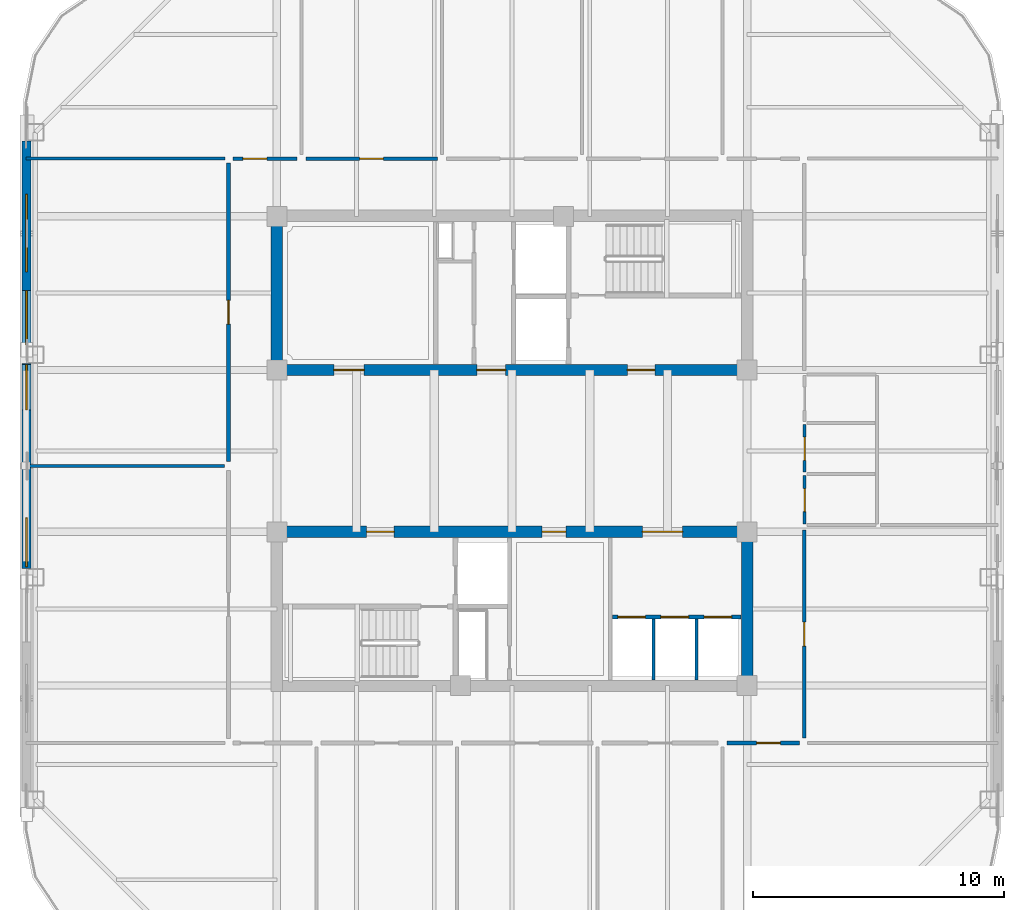
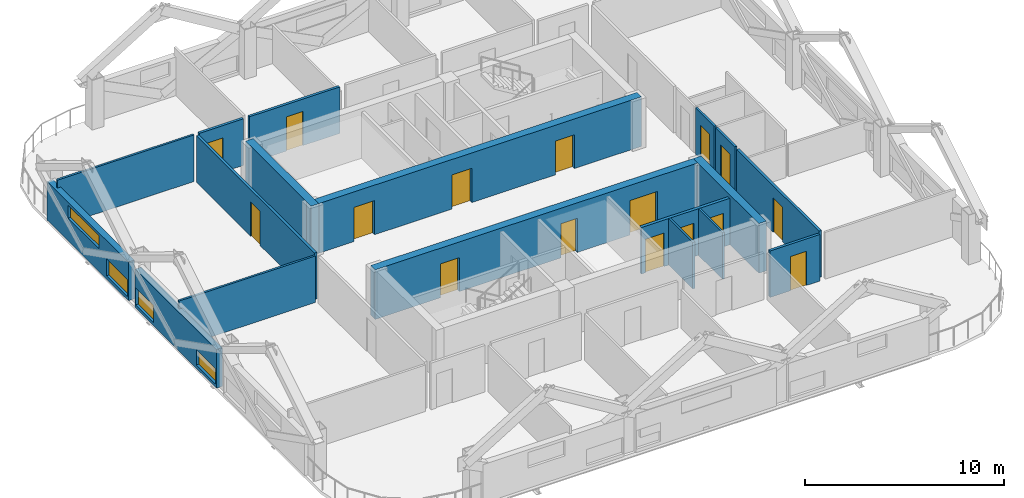
# One storey, part 4 of 9: 18 walls, 16 doors, 4 windows, 20 openings.
"""IFC4 building model written with IfcOpenShell, lengths in metres."""

import ifcopenshell
import ifcopenshell.guid

model = None  # the IFC model being written
_history = None  # IfcOwnerHistory: only IFC2X3 demands one
_inside = {}  # id of a spatial element -> (the spatial element, [elements in it])
_under = {}  # id of a project, library or spatial element -> (it, [spatial elements below it])
_declared = {}  # id of a project -> (the project, [libraries it declares])
_typed = {}  # id of a type object -> (the type object, [elements of that type])
_made_of = {}  # id of a material, layer set ... -> (it, [elements and type objects made of it])


def new_model(schema):
    """Start an empty IFC model of exactly this schema.

    Asked for "IFC4X3", IfcOpenShell would pick the latest addendum, in which some entities
    have other attributes; the version numbers below select the first issue.
    IFC2X3 requires an IfcOwnerHistory on every rooted entity: one is made here for all.
    """
    global model, _history
    if schema == "IFC4X3":
        model = ifcopenshell.file(schema_version=(4, 3, 0, 0))
    else:
        model = ifcopenshell.file(schema=schema)
    _inside.clear()
    _under.clear()
    _declared.clear()
    _typed.clear()
    _made_of.clear()
    _history = None
    if model.schema == "IFC2X3":
        org = make("IfcOrganization", Name="unknown")
        user = make(
            "IfcPersonAndOrganization",
            ThePerson=make("IfcPerson", FamilyName="unknown"),
            TheOrganization=org,
        )
        app = make(
            "IfcApplication",
            ApplicationDeveloper=org,
            Version="unknown",
            ApplicationFullName="unknown",
            ApplicationIdentifier="unknown",
        )
        _history = make(
            "IfcOwnerHistory",
            OwningUser=user,
            OwningApplication=app,
            ChangeAction="ADDED",
            CreationDate=0,
        )
    return model


def make(cls, **values):
    """One entity of the class cls with the attributes given. An attribute that is None is left unset."""
    return model.create_entity(
        cls, **{name: value for name, value in values.items() if value is not None}
    )


def rooted(cls, **values):
    """An entity with a GlobalId (a new one), such as an element, a storey or a relation."""
    return make(cls, GlobalId=ifcopenshell.guid.new(), OwnerHistory=_history, **values)


def si_unit(unit_type, name, prefix=None):
    """IfcSIUnit, for example si_unit("LENGTHUNIT", "METRE", prefix="MILLI")."""
    return make("IfcSIUnit", UnitType=unit_type, Prefix=prefix, Name=name)


def assignment(units):
    """IfcUnitAssignment: the units of a project."""
    return None if units is None else make("IfcUnitAssignment", Units=units)


def point(xyz):
    """IfcCartesianPoint."""
    return None if xyz is None else make("IfcCartesianPoint", Coordinates=xyz)


def direction(xyz):
    """IfcDirection."""
    return None if xyz is None else make("IfcDirection", DirectionRatios=xyz)


def frame(location, z_axis=None, x_axis=None):
    """IfcAxis2Placement3D, a coordinate frame: its origin and axes. An axis left out is left unset."""
    return make(
        "IfcAxis2Placement3D",
        Location=point(location),
        Axis=direction(z_axis),
        RefDirection=direction(x_axis),
    )


def frame_2d(location, x_axis=None):
    """IfcAxis2Placement2D, a coordinate frame in the plane: its origin and x axis."""
    return make(
        "IfcAxis2Placement2D", Location=point(location), RefDirection=direction(x_axis)
    )


def origin():
    """The frame at (0, 0, 0) with its axes left unset."""
    return frame((0.0, 0.0, 0.0))


def place(relative_to, where):
    """IfcLocalPlacement: puts the frame where relative to a parent placement (None: the world)."""
    return make(
        "IfcLocalPlacement", PlacementRelTo=relative_to, RelativePlacement=where
    )


def context(
    kind, dimensions, precision=None, world=None, true_north=None, identifier=None
):
    """IfcGeometricRepresentationContext, for example the 3D "Model" context."""
    return make(
        "IfcGeometricRepresentationContext",
        ContextIdentifier=identifier,
        ContextType=kind,
        CoordinateSpaceDimension=dimensions,
        Precision=precision,
        WorldCoordinateSystem=world,
        TrueNorth=true_north,
    )


def subcontext(parent, identifier, kind, view, scale=None):
    """IfcGeometricRepresentationSubContext, for example "Body" below "Model"."""
    return make(
        "IfcGeometricRepresentationSubContext",
        ContextIdentifier=identifier,
        ContextType=kind,
        ParentContext=parent,
        TargetScale=scale,
        TargetView=view,
    )


def project(units=None, contexts=None):
    """IfcProject with its units and contexts."""
    return rooted(
        "IfcProject",
        Name="project",
        RepresentationContexts=contexts,
        UnitsInContext=assignment(units),
    )


def spatial(cls, under=None, at=None, **own):
    """A site, building, storey or space (cls), placed at a placement, below another one or the project."""
    s = rooted(cls, ObjectPlacement=at, **own)
    if under is not None:
        _under.setdefault(under.id(), (under, []))[1].append(s)
    return s


def profile(cls, at=None, kind="AREA", **sizes):
    """A parametric profile (cls). Its sizes go by their IFC names, for example OverallWidth=200.0."""
    return make(cls, ProfileType=kind, Position=at, **sizes)


def rectangle(**sizes):
    """IfcRectangleProfileDef."""
    return profile("IfcRectangleProfileDef", **sizes)


def extrude(swept, where, along, depth):
    """IfcExtrudedAreaSolid: the profile swept, set in the frame where, extruded along a direction by depth."""
    return make(
        "IfcExtrudedAreaSolid",
        SweptArea=swept,
        Position=where,
        ExtrudedDirection=direction(along),
        Depth=depth,
    )


def shape(context_of_items, identifier, shape_type, items):
    """IfcShapeRepresentation: the items that make up one representation, for example the "Body"."""
    return make(
        "IfcShapeRepresentation",
        ContextOfItems=context_of_items,
        RepresentationIdentifier=identifier,
        RepresentationType=shape_type,
        Items=items,
    )


def material(Name=None, Category=None):
    """IfcMaterial."""
    return make("IfcMaterial", Name=Name, Category=Category)


def layer(
    of_material, thickness, ventilated=None, Name=None, Category=None, Priority=None
):
    """IfcMaterialLayer: one layer of a wall or slab, of a material (None: an air gap)."""
    return make(
        "IfcMaterialLayer",
        Material=of_material,
        LayerThickness=thickness,
        IsVentilated=ventilated,
        Name=Name,
        Category=Category,
        Priority=Priority,
    )


def layer_set(layers, Name=None):
    """IfcMaterialLayerSet."""
    return make("IfcMaterialLayerSet", MaterialLayers=layers, LayerSetName=Name)


def made_of(thing, what):
    """Note that an element or type object is made of a material, layer set ...; save() writes the relation."""
    if what is not None:
        _made_of.setdefault(what.id(), (what, []))[1].append(thing)
    return thing


def type_object(cls, material=None, **own):
    """A type object (cls), such as IfcWallType, which elements share."""
    return made_of(rooted(cls, **own), material)


def element(
    cls,
    number,
    at=None,
    inside=None,
    cuts=None,
    type_object=None,
    material=None,
    context=None,
    identifier="Body",
    shape_type=None,
    held_by="IfcProductDefinitionShape",
    body=None,
    shapes=None,
    **own,
):
    """One element of the class cls, such as IfcWall. Its Tag is "e" and its number.

    at: its placement. inside: the storey or other place that contains it. cuts: it is an
    opening in that element (IfcRelVoidsElement). A single representation is given by context,
    identifier, shape_type and body (its items); several are given by shapes. held_by: the class
    of the entity that holds the representations. save() writes the other relations.
    """
    e = rooted(cls, Tag="e%d" % number, ObjectPlacement=at, **own)
    if body is not None:
        shapes = [shape(context, identifier, shape_type, body)]
    if shapes is not None:
        e.Representation = make(held_by, Representations=shapes)
    if inside is not None:
        _inside.setdefault(inside.id(), (inside, []))[1].append(e)
    if cuts is not None:
        rooted(
            "IfcRelVoidsElement", RelatingBuildingElement=cuts, RelatedOpeningElement=e
        )
    if type_object is not None:
        _typed.setdefault(type_object.id(), (type_object, []))[1].append(e)
    return made_of(e, material)


def fill(opening, filler):
    """IfcRelFillsElement: the door or window that sits in an opening."""
    return rooted(
        "IfcRelFillsElement",
        RelatingOpeningElement=opening,
        RelatedBuildingElement=filler,
    )


def aggregate(whole, parts):
    """IfcRelAggregates: a whole, such as a stair, and the parts it consists of."""
    return rooted("IfcRelAggregates", RelatingObject=whole, RelatedObjects=parts)


def save(model, path):
    """Write the relations noted so far, then the file.

    IfcRelAggregates (storeys below a building ...), IfcRelContainedInSpatialStructure (elements
    in a storey), IfcRelDefinesByType, IfcRelAssociatesMaterial and IfcRelDeclares: one each for
    every whole, place, type object, material and project.
    """
    for whole, parts in _under.values():
        aggregate(whole, parts)
    for where, things in _inside.values():
        rooted(
            "IfcRelContainedInSpatialStructure",
            RelatedElements=things,
            RelatingStructure=where,
        )
    for kind, things in _typed.values():
        rooted("IfcRelDefinesByType", RelatedObjects=things, RelatingType=kind)
    for what, things in _made_of.values():
        rooted("IfcRelAssociatesMaterial", RelatedObjects=things, RelatingMaterial=what)
    for by, libraries in _declared.values():
        rooted("IfcRelDeclares", RelatingContext=by, RelatedDefinitions=libraries)
    model.write(path)


model = new_model("IFC4")

# Units and contexts
model_context = context("Model", 3, precision=1e-05, world=origin(), true_north=direction((0.0, 1.0)))
body_context = subcontext(model_context, "Body", "Model", "MODEL_VIEW")
ifc_project = project(units=[si_unit("LENGTHUNIT", "METRE"), si_unit("AREAUNIT", "SQUARE_METRE"), si_unit("VOLUMEUNIT", "CUBIC_METRE"), si_unit("PLANEANGLEUNIT", "RADIAN"), si_unit("MASSUNIT", "GRAM", prefix="KILO")], contexts=[model_context])

# Site, building, storey
site_placement = place(None, origin())
site = spatial("IfcSite", under=ifc_project, at=site_placement, CompositionType="ELEMENT")
building_placement = place(site_placement, origin())
building = spatial("IfcBuilding", under=site, at=building_placement, Name="Qhalaya Broadcast Tower", CompositionType="ELEMENT")
storey_placement = place(building_placement, frame((0.0, 0.0, 211.699951171875)))
storey = spatial("IfcBuildingStorey", under=building, at=storey_placement, Name="L62", CompositionType="ELEMENT", Elevation=211.699951171875)

# Wall, opening, door
ifc_material_1 = material(Name="Gypsum Acoustic Partition")
ifc_layer_1 = layer(ifc_material_1, 0.14990234375, Name="Gypsum Acoustic Partition")
ifc_layer_set_1 = layer_set([ifc_layer_1], Name="Gypsum Acoustic Partition")
wall_type_1 = type_object("IfcWallType", Name="Corridor & Tenancy Acoustic Partition 150", PredefinedType="PARTITIONING", material=ifc_layer_set_1)
wall_1_placement = place(storey_placement, frame((-11.1201171875, 12.25, 0.0), z_axis=(0.0, 0.0, 1.0), x_axis=(1.0, 0.0, 0.0)))
wall_1 = element("IfcWall", 1, at=wall_1_placement, inside=storey, type_object=wall_type_1, Name="L62 Partition Wall W-COR-01", PredefinedType="PARTITIONING", context=body_context, shape_type="SweptSolid", body=[
    extrude(rectangle(XDim=2.5400390625, YDim=0.14990234375, at=frame_2d((1.27001953125, 0.0))), origin(), (0.0, 0.0, 1.0), 2.860107421875),
])
opening_1_placement = place(wall_1_placement, frame((0.39501953125, 0.0, 0.0)))
opening_1 = element("IfcOpeningElement", 2, at=opening_1_placement, cuts=wall_1, Name="Opening D10", PredefinedType="OPENING", context=body_context, shape_type="SweptSolid", body=[
    extrude(rectangle(XDim=0.949951171875, YDim=2.10009765625, at=frame_2d((0.47509765625, 1.050048828125))), frame((0.0, 0.0869140625, 0.0), z_axis=(0.0, -1.0, 0.0), x_axis=(1.0, 0.0, 0.0)), (0.0, 0.0, 1.0), 0.173828125),
])
ifc_material_2 = material(Name="Timber Veneer Acoustic Door", Category="wood")
door_type_1 = type_object("IfcDoorType", Name="Cellular Office & Edit Booth Door D10", OperationType="NOTDEFINED", PredefinedType="DOOR", material=ifc_material_2)
door_1_placement = place(opening_1_placement, origin())
door_1 = element("IfcDoor", 3, at=door_1_placement, inside=storey, type_object=door_type_1, Name="L62 Door D-RM01", OperationType="SINGLE_SWING_RIGHT", OverallHeight=2.10009765625, OverallWidth=0.949951171875, PredefinedType="DOOR", context=body_context, shape_type="SweptSolid", body=[
    extrude(rectangle(XDim=0.949951171875, YDim=2.10009765625, at=frame_2d((0.47509765625, 1.050048828125))), frame((0.0, 0.02490234375, 0.0), z_axis=(0.0, -1.0, 0.0), x_axis=(1.0, 0.0, 0.0)), (0.0, 0.0, 1.0), 0.050048828125),
])
fill(opening_1, door_1)

wall_2_placement = place(storey_placement, frame((-8.219970703125, 12.25, 0.0), z_axis=(0.0, 0.0, 1.0), x_axis=(1.0, 0.0, 0.0)))
wall_2 = element("IfcWall", 4, at=wall_2_placement, inside=storey, type_object=wall_type_1, Name="L62 Partition Wall W-COR-02", PredefinedType="PARTITIONING", context=body_context, shape_type="SweptSolid", body=[
    extrude(rectangle(XDim=5.239990234375, YDim=0.14990234375, at=frame_2d((2.6201171875, 0.0))), origin(), (0.0, 0.0, 1.0), 2.860107421875),
])
opening_2_placement = place(wall_2_placement, frame((2.14501953125, 0.0, 0.0)))
opening_2 = element("IfcOpeningElement", 5, at=opening_2_placement, cuts=wall_2, Name="Opening D10", PredefinedType="OPENING", context=body_context, shape_type="SweptSolid", body=[
    extrude(rectangle(XDim=0.949951171875, YDim=2.10009765625, at=frame_2d((0.47509765625, 1.050048828125))), frame((0.0, 0.0869140625, 0.0), z_axis=(0.0, -1.0, 0.0), x_axis=(1.0, 0.0, 0.0)), (0.0, 0.0, 1.0), 0.173828125),
])
door_2_placement = place(opening_2_placement, origin())
door_2 = element("IfcDoor", 6, at=door_2_placement, inside=storey, type_object=door_type_1, Name="L62 Door D-RM02", OperationType="SINGLE_SWING_LEFT", OverallHeight=2.10009765625, OverallWidth=0.949951171875, PredefinedType="DOOR", context=body_context, shape_type="SweptSolid", body=[
    extrude(rectangle(XDim=0.949951171875, YDim=2.10009765625, at=frame_2d((0.47509765625, 1.050048828125))), frame((0.0, 0.02490234375, 0.0), z_axis=(0.0, -1.0, 0.0), x_axis=(1.0, 0.0, 0.0)), (0.0, 0.0, 1.0), 0.050048828125),
])
fill(opening_2, door_2)

wall_3_placement = place(storey_placement, frame((8.580078125, -11.050048828125, 0.0), z_axis=(0.0, 0.0, 1.0), x_axis=(1.0, 0.0, 0.0)))
wall_3 = element("IfcWall", 7, at=wall_3_placement, inside=storey, type_object=wall_type_1, Name="L62 Partition Wall W-COR-10", PredefinedType="PARTITIONING", context=body_context, shape_type="SweptSolid", body=[
    extrude(rectangle(XDim=2.889892578125, YDim=0.14990234375, at=frame_2d((1.44482421875, 0.0))), origin(), (0.0, 0.0, 1.0), 2.860107421875),
])
opening_3_placement = place(wall_3_placement, frame((1.169921875, 0.0, 0.0)))
opening_3 = element("IfcOpeningElement", 8, at=opening_3_placement, cuts=wall_3, Name="Opening D10", PredefinedType="OPENING", context=body_context, shape_type="SweptSolid", body=[
    extrude(rectangle(XDim=0.949951171875, YDim=2.10009765625, at=frame_2d((0.47509765625, 1.050048828125))), frame((0.0, 0.0869140625, 0.0), z_axis=(0.0, -1.0, 0.0), x_axis=(1.0, 0.0, 0.0)), (0.0, 0.0, 1.0), 0.173828125),
])
door_3_placement = place(opening_3_placement, origin())
door_3 = element("IfcDoor", 9, at=door_3_placement, inside=storey, type_object=door_type_1, Name="L62 Door D-RM10", OperationType="SINGLE_SWING_LEFT", OverallHeight=2.10009765625, OverallWidth=0.949951171875, PredefinedType="DOOR", context=body_context, shape_type="SweptSolid", body=[
    extrude(rectangle(XDim=0.949951171875, YDim=2.10009765625, at=frame_2d((0.47509765625, 1.050048828125))), frame((0.0, 0.02490234375, 0.0), z_axis=(0.0, -1.0, 0.0), x_axis=(1.0, 0.0, 0.0)), (0.0, 0.0, 1.0), 0.050048828125),
])
fill(opening_3, door_3)

wall_4_placement = place(storey_placement, frame((-11.300048828125, 0.179931640625, 0.0), z_axis=(0.0, 0.0, 1.0), x_axis=(0.0, 1.0, 0.0)))
wall_4 = element("IfcWall", 10, at=wall_4_placement, inside=storey, type_object=wall_type_1, Name="L62 Partition Wall W-COR-12", PredefinedType="PARTITIONING", context=body_context, shape_type="SweptSolid", body=[
    extrude(rectangle(XDim=11.89013671875, YDim=0.14990234375, at=frame_2d((5.945068359375, 0.0))), origin(), (0.0, 0.0, 1.0), 2.860107421875),
])
opening_4_placement = place(wall_4_placement, frame((5.469970703125, 0.0, 0.0)))
opening_4 = element("IfcOpeningElement", 11, at=opening_4_placement, cuts=wall_4, Name="Opening D10", PredefinedType="OPENING", context=body_context, shape_type="SweptSolid", body=[
    extrude(rectangle(XDim=0.949951171875, YDim=2.10009765625, at=frame_2d((0.47509765625, 1.050048828125))), frame((0.0, 0.0869140625, 0.0), z_axis=(0.0, -1.0, 0.0), x_axis=(1.0, 0.0, 0.0)), (0.0, 0.0, 1.0), 0.173828125),
])
door_4_placement = place(opening_4_placement, origin())
door_4 = element("IfcDoor", 12, at=door_4_placement, inside=storey, type_object=door_type_1, Name="L62 Door D-RM12", OperationType="SINGLE_SWING_LEFT", OverallHeight=2.10009765625, OverallWidth=0.949951171875, PredefinedType="DOOR", context=body_context, shape_type="SweptSolid", body=[
    extrude(rectangle(XDim=0.949951171875, YDim=2.10009765625, at=frame_2d((0.47509765625, 1.050048828125))), frame((0.0, 0.02490234375, 0.0), z_axis=(0.0, -1.0, 0.0), x_axis=(1.0, 0.0, 0.0)), (0.0, 0.0, 1.0), 0.050048828125),
])
fill(opening_4, door_4)

wall_5_placement = place(storey_placement, frame((11.64990234375, -10.85009765625, 0.0), z_axis=(0.0, 0.0, 1.0), x_axis=(0.0, 1.0, 0.0)))
wall_5 = element("IfcWall", 13, at=wall_5_placement, inside=storey, type_object=wall_type_1, Name="L62 Partition Wall W-COR-13", PredefinedType="PARTITIONING", context=body_context, shape_type="SweptSolid", body=[
    extrude(rectangle(XDim=8.2900390625, YDim=0.14990234375, at=frame_2d((4.14501953125, 0.0))), origin(), (0.0, 0.0, 1.0), 2.860107421875),
])
opening_5_placement = place(wall_5_placement, frame((3.669921875, 0.0, 0.0)))
opening_5 = element("IfcOpeningElement", 14, at=opening_5_placement, cuts=wall_5, Name="Opening D10", PredefinedType="OPENING", context=body_context, shape_type="SweptSolid", body=[
    extrude(rectangle(XDim=0.949951171875, YDim=2.10009765625, at=frame_2d((0.47509765625, 1.050048828125))), frame((0.0, 0.0869140625, 0.0), z_axis=(0.0, -1.0, 0.0), x_axis=(1.0, 0.0, 0.0)), (0.0, 0.0, 1.0), 0.173828125),
])
door_5_placement = place(opening_5_placement, origin())
door_5 = element("IfcDoor", 15, at=door_5_placement, inside=storey, type_object=door_type_1, Name="L62 Door D-RM13", OperationType="SINGLE_SWING_RIGHT", OverallHeight=2.10009765625, OverallWidth=0.949951171875, PredefinedType="DOOR", context=body_context, shape_type="SweptSolid", body=[
    extrude(rectangle(XDim=0.949951171875, YDim=2.10009765625, at=frame_2d((0.47509765625, 1.050048828125))), frame((0.0, 0.02490234375, 0.0), z_axis=(0.0, -1.0, 0.0), x_axis=(1.0, 0.0, 0.0)), (0.0, 0.0, 1.0), 0.050048828125),
])
fill(opening_5, door_5)

# Wall, openings, windows
ifc_material_3 = material(Name="Precast Concrete C40/50", Category="concrete")
ifc_layer_2 = layer(ifc_material_3, 0.360107421875, Name="Precast Concrete C40/50")
ifc_layer_set_2 = layer_set([ifc_layer_2], Name="Precast Concrete C40/50")
wall_type_2 = type_object("IfcWallType", Name="Insulated Precast Terracotta Exterior Wall 360", PredefinedType="SOLIDWALL", material=ifc_layer_set_2)
wall_6_placement = place(storey_placement, frame((-19.360107421875, -4.083251953125, 0.0), z_axis=(0.0, 0.0, 1.0), x_axis=(0.0, 1.0, 0.0)))
wall_6 = element("IfcWall", 16, at=wall_6_placement, inside=storey, type_object=wall_type_2, Name="L62 Exoskeleton Diagrid Infill Wall W2", PredefinedType="SOLIDWALL", context=body_context, shape_type="SweptSolid", body=[
    extrude(rectangle(XDim=8.16650390625, YDim=0.360107421875, at=frame_2d((4.083251953125, 0.0))), origin(), (0.0, 0.0, 1.0), 2.3740234375),
])
opening_6_placement = place(wall_6_placement, frame((0.071044921875, 0.0, 0.199951171875)))
opening_6 = element("IfcOpeningElement", 17, at=opening_6_placement, cuts=wall_6, Name="Opening W13", PredefinedType="OPENING", context=body_context, shape_type="SweptSolid", body=[
    extrude(rectangle(XDim=1.949951171875, YDim=0.949951171875, at=frame_2d((0.97509765625, 0.47509765625))), frame((0.0, 0.192138671875, 0.0), z_axis=(0.0, -1.0, 0.0), x_axis=(1.0, 0.0, 0.0)), (0.0, 0.0, 1.0), 0.384033203125),
])
opening_7_placement = place(wall_6_placement, frame((6.321044921875, 0.0, 0.199951171875)))
opening_7 = element("IfcOpeningElement", 18, at=opening_7_placement, cuts=wall_6, Name="Opening W13", PredefinedType="OPENING", context=body_context, shape_type="SweptSolid", body=[
    extrude(rectangle(XDim=1.800048828125, YDim=1.050048828125, at=frame_2d((0.89990234375, 0.52490234375))), frame((0.0, 0.192138671875, 0.0), z_axis=(0.0, -1.0, 0.0), x_axis=(1.0, 0.0, 0.0)), (0.0, 0.0, 1.0), 0.384033203125),
])
ifc_material_4 = material(Name="Solar-Control Low-E Triple Glazing", Category="glass")
window_type = type_object("IfcWindowType", Name="Upper-Block Diagrid Infill Window W13", PartitioningType="SINGLE_PANEL", PredefinedType="WINDOW", material=ifc_material_4)
window_1_placement = place(opening_6_placement, origin())
window_1 = element("IfcWindow", 19, at=window_1_placement, inside=storey, type_object=window_type, Name="L62 Diagrid Infill Window W13-W3", OverallHeight=0.949951171875, OverallWidth=1.949951171875, PartitioningType="SINGLE_PANEL", PredefinedType="WINDOW", context=body_context, shape_type="SweptSolid", body=[
    extrude(rectangle(XDim=1.949951171875, YDim=0.949951171875, at=frame_2d((0.97509765625, 0.47509765625))), frame((0.0, 0.030029296875, 0.0), z_axis=(0.0, -1.0, 0.0), x_axis=(1.0, 0.0, 0.0)), (0.0, 0.0, 1.0), 0.06005859375),
])
fill(opening_6, window_1)
window_2_placement = place(opening_7_placement, origin())
window_2 = element("IfcWindow", 20, at=window_2_placement, inside=storey, type_object=window_type, Name="L62 Diagrid Infill Window W13-W4", OverallHeight=1.050048828125, OverallWidth=1.800048828125, PartitioningType="SINGLE_PANEL", PredefinedType="WINDOW", context=body_context, shape_type="SweptSolid", body=[
    extrude(rectangle(XDim=1.800048828125, YDim=1.050048828125, at=frame_2d((0.89990234375, 0.52490234375))), frame((0.0, 0.030029296875, 0.0), z_axis=(0.0, -1.0, 0.0), x_axis=(1.0, 0.0, 0.0)), (0.0, 0.0, 1.0), 0.06005859375),
])
fill(opening_7, window_2)

wall_7_placement = place(storey_placement, frame((-19.360107421875, 4.783203125, 0.0), z_axis=(0.0, 0.0, 1.0), x_axis=(0.0, 1.0, 0.0)))
wall_7 = element("IfcWall", 21, at=wall_7_placement, inside=storey, type_object=wall_type_2, Name="L62 Exoskeleton Diagrid Infill Wall W3", PredefinedType="SOLIDWALL", context=body_context, shape_type="SweptSolid", body=[
    extrude(rectangle(XDim=8.1787109375, YDim=0.360107421875, at=frame_2d((4.08935546875, 0.0))), origin(), (0.0, 0.0, 1.0), 2.3740234375),
])
opening_8_placement = place(wall_7_placement, frame((0.054931640625, 0.0, 0.199951171875)))
opening_8 = element("IfcOpeningElement", 22, at=opening_8_placement, cuts=wall_7, Name="Opening W13", PredefinedType="OPENING", context=body_context, shape_type="SweptSolid", body=[
    extrude(rectangle(XDim=2.14990234375, YDim=1.050048828125, at=frame_2d((1.074951171875, 0.52490234375))), frame((0.0, 0.192138671875, 0.0), z_axis=(0.0, -1.0, 0.0), x_axis=(1.0, 0.0, 0.0)), (0.0, 0.0, 1.0), 0.384033203125),
])
opening_9_placement = place(wall_7_placement, frame((2.955078125, 0.0, 1.39990234375)))
opening_9 = element("IfcOpeningElement", 23, at=opening_9_placement, cuts=wall_7, Name="Opening W13", PredefinedType="OPENING", context=body_context, shape_type="SweptSolid", body=[
    extrude(rectangle(XDim=3.10009765625, YDim=0.800048828125, at=frame_2d((1.550048828125, 0.39990234375))), frame((0.0, 0.192138671875, 0.0), z_axis=(0.0, -1.0, 0.0), x_axis=(1.0, 0.0, 0.0)), (0.0, 0.0, 1.0), 0.384033203125),
])
window_3_placement = place(opening_8_placement, origin())
window_3 = element("IfcWindow", 24, at=window_3_placement, inside=storey, type_object=window_type, Name="L62 Diagrid Infill Window W13-W5", OverallHeight=1.050048828125, OverallWidth=2.14990234375, PartitioningType="SINGLE_PANEL", PredefinedType="WINDOW", context=body_context, shape_type="SweptSolid", body=[
    extrude(rectangle(XDim=2.14990234375, YDim=1.050048828125, at=frame_2d((1.074951171875, 0.52490234375))), frame((0.0, 0.030029296875, 0.0), z_axis=(0.0, -1.0, 0.0), x_axis=(1.0, 0.0, 0.0)), (0.0, 0.0, 1.0), 0.06005859375),
])
fill(opening_8, window_3)
window_4_placement = place(opening_9_placement, origin())
window_4 = element("IfcWindow", 25, at=window_4_placement, inside=storey, type_object=window_type, Name="L62 Diagrid Infill Window W13-W6", OverallHeight=0.800048828125, OverallWidth=3.10009765625, PartitioningType="SINGLE_PANEL", PredefinedType="WINDOW", context=body_context, shape_type="SweptSolid", body=[
    extrude(rectangle(XDim=3.10009765625, YDim=0.800048828125, at=frame_2d((1.550048828125, 0.39990234375))), frame((0.0, 0.030029296875, 0.0), z_axis=(0.0, -1.0, 0.0), x_axis=(1.0, 0.0, 0.0)), (0.0, 0.0, 1.0), 0.06005859375),
])
fill(opening_9, window_4)

# Walls
ifc_layer_3 = layer(ifc_material_1, 0.1201171875, Name="Gypsum Acoustic Partition")
ifc_layer_set_3 = layer_set([ifc_layer_3], Name="Gypsum Acoustic Partition")
wall_type_3 = type_object("IfcWallType", Name="Office, Booth & Sanitary Partition 120", PredefinedType="PARTITIONING", material=ifc_layer_set_3)
for number, where, z_axis, x_axis, name in (
    (26, (5.639892578125, -8.530029296875, 0.0), (0.0, 0.0, 1.0), (0.0, 1.0, 0.0), "L62 Partition Wall SCW-HD6"),
    (27, (7.360107421875, -8.530029296875, 0.0), (0.0, 0.0, 1.0), (0.0, 1.0, 0.0), "L62 Partition Wall SCW-HD7"),
):
    element("IfcWall", number, at=place(storey_placement, frame(where, z_axis=z_axis, x_axis=x_axis)), inside=storey, type_object=wall_type_3, Name=name, PredefinedType="PARTITIONING", context=body_context, shape_type="SweptSolid", body=[
        extrude(rectangle(XDim=2.429931640625, YDim=0.1201171875, at=frame_2d((1.21484375, 0.0))), origin(), (0.0, 0.0, 1.0), 2.860107421875),
    ])

# Wall, opening, door
wall_8_placement = place(storey_placement, frame((11.669921875, -2.320068359375, 0.0), z_axis=(0.0, 0.0, 1.0), x_axis=(0.0, 1.0, 0.0)))
wall_8 = element("IfcWall", 28, at=wall_8_placement, inside=storey, type_object=wall_type_3, Name="L62 Partition Wall W-WCWA", PredefinedType="PARTITIONING", context=body_context, shape_type="SweptSolid", body=[
    extrude(rectangle(XDim=1.940185546875, YDim=0.1201171875, at=frame_2d((0.97021484375, 0.0))), origin(), (0.0, 0.0, 1.0), 2.860107421875),
])
opening_10_placement = place(wall_8_placement, frame((0.4951171875, 0.0, 0.0)))
opening_10 = element("IfcOpeningElement", 29, at=opening_10_placement, cuts=wall_8, Name="Opening D12", PredefinedType="OPENING", context=body_context, shape_type="SweptSolid", body=[
    extrude(rectangle(XDim=0.919921875, YDim=2.10009765625, at=frame_2d((0.4599609375, 1.050048828125))), frame((0.0, 0.072021484375, 0.0), z_axis=(0.0, -1.0, 0.0), x_axis=(1.0, 0.0, 0.0)), (0.0, 0.0, 1.0), 0.14404296875),
])
door_type_2 = type_object("IfcDoorType", Name="Accessible WC & Restroom Door D12", OperationType="NOTDEFINED", PredefinedType="DOOR", material=ifc_material_2)
door_6_placement = place(opening_10_placement, origin())
door_6 = element("IfcDoor", 30, at=door_6_placement, inside=storey, type_object=door_type_2, Name="L62 Door D-WCA", OperationType="SINGLE_SWING_LEFT", OverallHeight=2.10009765625, OverallWidth=0.919921875, PredefinedType="DOOR", context=body_context, shape_type="SweptSolid", body=[
    extrude(rectangle(XDim=0.919921875, YDim=2.10009765625, at=frame_2d((0.4599609375, 1.050048828125))), frame((0.0, 0.02490234375, 0.0), z_axis=(0.0, -1.0, 0.0), x_axis=(1.0, 0.0, 0.0)), (0.0, 0.0, 1.0), 0.050048828125),
])
fill(opening_10, door_6)

wall_9_placement = place(storey_placement, frame((11.669921875, -0.25, 0.0), z_axis=(0.0, 0.0, 1.0), x_axis=(0.0, 1.0, 0.0)))
wall_9 = element("IfcWall", 31, at=wall_9_placement, inside=storey, type_object=wall_type_3, Name="L62 Partition Wall W-WCWM", PredefinedType="PARTITIONING", context=body_context, shape_type="SweptSolid", body=[
    extrude(rectangle(XDim=1.89990234375, YDim=0.1201171875, at=frame_2d((0.949951171875, 0.0))), origin(), (0.0, 0.0, 1.0), 2.860107421875),
])
opening_11_placement = place(wall_9_placement, frame((0.47509765625, 0.0, 0.0)))
opening_11 = element("IfcOpeningElement", 32, at=opening_11_placement, cuts=wall_9, Name="Opening D12", PredefinedType="OPENING", context=body_context, shape_type="SweptSolid", body=[
    extrude(rectangle(XDim=0.919921875, YDim=2.10009765625, at=frame_2d((0.4599609375, 1.050048828125))), frame((0.0, 0.072021484375, 0.0), z_axis=(0.0, -1.0, 0.0), x_axis=(1.0, 0.0, 0.0)), (0.0, 0.0, 1.0), 0.14404296875),
])
door_7_placement = place(opening_11_placement, origin())
door_7 = element("IfcDoor", 33, at=door_7_placement, inside=storey, type_object=door_type_2, Name="L62 Door D-WCM", OperationType="SINGLE_SWING_RIGHT", OverallHeight=2.10009765625, OverallWidth=0.919921875, PredefinedType="DOOR", context=body_context, shape_type="SweptSolid", body=[
    extrude(rectangle(XDim=0.919921875, YDim=2.10009765625, at=frame_2d((0.4599609375, 1.050048828125))), frame((0.0, 0.02490234375, 0.0), z_axis=(0.0, -1.0, 0.0), x_axis=(1.0, 0.0, 0.0)), (0.0, 0.0, 1.0), 0.050048828125),
])
fill(opening_11, door_7)

# Walls
wall_10_placement = place(storey_placement, frame((-19.3798828125, 12.25, 0.0), z_axis=(0.0, 0.0, 1.0), x_axis=(1.0, 0.0, 0.0)))
element("IfcWall", 34, at=wall_10_placement, inside=storey, type_object=wall_type_3, Name="L62 Partition Wall W-BNDW1", PredefinedType="PARTITIONING", context=body_context, shape_type="SweptSolid", body=[
    extrude(rectangle(XDim=7.93994140625, YDim=0.1201171875, at=frame_2d((3.969970703125, 0.0))), origin(), (0.0, 0.0, 1.0), 2.860107421875),
])
wall_11_placement = place(storey_placement, frame((-19.3798828125, 0.0, 0.0), z_axis=(0.0, 0.0, 1.0), x_axis=(1.0, 0.0, 0.0)))
element("IfcWall", 35, at=wall_11_placement, inside=storey, type_object=wall_type_3, Name="L62 Partition Wall W-DIVW1", PredefinedType="PARTITIONING", context=body_context, shape_type="SweptSolid", body=[
    extrude(rectangle(XDim=7.919921875, YDim=0.1201171875, at=frame_2d((3.9599609375, 0.0))), origin(), (0.0, 0.0, 1.0), 2.860107421875),
])

# Wall, openings, doors
ifc_layer_4 = layer(ifc_material_1, 0.175048828125, Name="Gypsum Acoustic Partition")
ifc_layer_set_4 = layer_set([ifc_layer_4], Name="Gypsum Acoustic Partition")
wall_type_4 = type_object("IfcWallType", Name="Shaft & Riser Fire Partition 175", PredefinedType="PARTITIONING", material=ifc_layer_set_4)
wall_12_placement = place(storey_placement, frame((4.0, -6.02001953125, 0.0), z_axis=(0.0, 0.0, 1.0), x_axis=(1.0, 0.0, 0.0)))
wall_12 = element("IfcWall", 36, at=wall_12_placement, inside=storey, type_object=wall_type_4, Name="L62 Partition Wall SCW-SLB", PredefinedType="PARTITIONING", context=body_context, shape_type="SweptSolid", body=[
    extrude(rectangle(XDim=5.1298828125, YDim=0.175048828125, at=frame_2d((2.56494140625, 0.0))), origin(), (0.0, 0.0, 1.0), 2.860107421875),
])
opening_12_placement = place(wall_12_placement, frame((0.219970703125, 0.0, 0.0)))
opening_12 = element("IfcOpeningElement", 37, at=opening_12_placement, cuts=wall_12, Name="Opening LD1", PredefinedType="OPENING", context=body_context, shape_type="SweptSolid", body=[
    extrude(rectangle(XDim=1.10009765625, YDim=2.06005859375, at=frame_2d((0.550048828125, 1.030029296875))), frame((0.0, 0.099609375, 0.0), z_axis=(0.0, -1.0, 0.0), x_axis=(1.0, 0.0, 0.0)), (0.0, 0.0, 1.0), 0.198974609375),
])
opening_13_placement = place(wall_12_placement, frame((1.93994140625, 0.0, 0.0)))
opening_13 = element("IfcOpeningElement", 38, at=opening_13_placement, cuts=wall_12, Name="Opening LD1", PredefinedType="OPENING", context=body_context, shape_type="SweptSolid", body=[
    extrude(rectangle(XDim=1.10009765625, YDim=2.06005859375, at=frame_2d((0.550048828125, 1.030029296875))), frame((0.0, 0.099609375, 0.0), z_axis=(0.0, -1.0, 0.0), x_axis=(1.0, 0.0, 0.0)), (0.0, 0.0, 1.0), 0.198974609375),
])
opening_14_placement = place(wall_12_placement, frame((3.659912109375, 0.0, 0.0)))
opening_14 = element("IfcOpeningElement", 39, at=opening_14_placement, cuts=wall_12, Name="Opening LD1", PredefinedType="OPENING", context=body_context, shape_type="SweptSolid", body=[
    extrude(rectangle(XDim=1.10009765625, YDim=2.06005859375, at=frame_2d((0.550048828125, 1.030029296875))), frame((0.0, 0.099609375, 0.0), z_axis=(0.0, -1.0, 0.0), x_axis=(1.0, 0.0, 0.0)), (0.0, 0.0, 1.0), 0.198974609375),
])
ifc_material_5 = material(Name="Brushed Stainless Steel Lift Door", Category="steel")
door_type_3 = type_object("IfcDoorType", Name="Passenger Lift Sliding Landing Door LD1", OperationType="DOUBLE_DOOR_SLIDING", PredefinedType="DOOR", material=ifc_material_5)
door_8_placement = place(opening_12_placement, origin())
door_8 = element("IfcDoor", 40, at=door_8_placement, inside=storey, type_object=door_type_3, Name="L62 Door LD-P6", OperationType="DOUBLE_DOOR_SLIDING", OverallHeight=2.06005859375, OverallWidth=1.10009765625, PredefinedType="DOOR", context=body_context, shape_type="SweptSolid", body=[
    extrude(rectangle(XDim=1.10009765625, YDim=2.06005859375, at=frame_2d((0.550048828125, 1.030029296875))), frame((0.0, 0.02490234375, 0.0), z_axis=(0.0, -1.0, 0.0), x_axis=(1.0, 0.0, 0.0)), (0.0, 0.0, 1.0), 0.050048828125),
])
fill(opening_12, door_8)
door_9_placement = place(opening_13_placement, origin())
door_9 = element("IfcDoor", 41, at=door_9_placement, inside=storey, type_object=door_type_3, Name="L62 Door LD-P7", OperationType="DOUBLE_DOOR_SLIDING", OverallHeight=2.06005859375, OverallWidth=1.10009765625, PredefinedType="DOOR", context=body_context, shape_type="SweptSolid", body=[
    extrude(rectangle(XDim=1.10009765625, YDim=2.06005859375, at=frame_2d((0.550048828125, 1.030029296875))), frame((0.0, 0.02490234375, 0.0), z_axis=(0.0, -1.0, 0.0), x_axis=(1.0, 0.0, 0.0)), (0.0, 0.0, 1.0), 0.050048828125),
])
fill(opening_13, door_9)
door_10_placement = place(opening_14_placement, origin())
door_10 = element("IfcDoor", 42, at=door_10_placement, inside=storey, type_object=door_type_3, Name="L62 Door LD-P8", OperationType="DOUBLE_DOOR_SLIDING", OverallHeight=2.06005859375, OverallWidth=1.10009765625, PredefinedType="DOOR", context=body_context, shape_type="SweptSolid", body=[
    extrude(rectangle(XDim=1.10009765625, YDim=2.06005859375, at=frame_2d((0.550048828125, 1.030029296875))), frame((0.0, 0.02490234375, 0.0), z_axis=(0.0, -1.0, 0.0), x_axis=(1.0, 0.0, 0.0)), (0.0, 0.0, 1.0), 0.050048828125),
])
fill(opening_14, door_10)

ifc_material_6 = material(Name="Concrete C50/60", Category="concrete")
ifc_layer_5 = layer(ifc_material_6, 0.449951171875, Name="Concrete C50/60")
ifc_layer_set_5 = layer_set([ifc_layer_5], Name="Concrete C50/60")
wall_type_5 = type_object("IfcWallType", Name="Upper Split-Core Shear Wall 450", PredefinedType="SHEAR", material=ifc_layer_set_5)
wall_13_placement = place(storey_placement, frame((-9.60009765625, 3.824951171875, 0.0), z_axis=(0.0, 0.0, 1.0), x_axis=(1.0, 0.0, 0.0)))
wall_13 = element("IfcWall", 43, at=wall_13_placement, inside=storey, type_object=wall_type_5, Name="L62 Split-Core Shear Wall CW-NS", PredefinedType="SHEAR", context=body_context, shape_type="SweptSolid", body=[
    extrude(rectangle(XDim=19.2001953125, YDim=0.449951171875, at=frame_2d((9.60009765625, 0.0))), origin(), (0.0, 0.0, 1.0), 3.050048828125),
])
opening_15_placement = place(wall_13_placement, frame((14.199951171875, 0.0, 0.0)))
opening_15 = element("IfcOpeningElement", 44, at=opening_15_placement, cuts=wall_13, Name="Opening D04", PredefinedType="OPENING", context=body_context, shape_type="SweptSolid", body=[
    extrude(rectangle(XDim=1.10009765625, YDim=2.080078125, at=frame_2d((0.550048828125, 1.0400390625))), frame((0.0, 0.237060546875, 0.0), z_axis=(0.0, -1.0, 0.0), x_axis=(1.0, 0.0, 0.0)), (0.0, 0.0, 1.0), 0.473876953125),
])
opening_16_placement = place(wall_13_placement, frame((8.199951171875, 0.0, 0.0)))
opening_16 = element("IfcOpeningElement", 45, at=opening_16_placement, cuts=wall_13, Name="Opening D05", PredefinedType="OPENING", context=body_context, shape_type="SweptSolid", body=[
    extrude(rectangle(XDim=1.14990234375, YDim=2.10009765625, at=frame_2d((0.574951171875, 1.050048828125))), frame((0.0, 0.237060546875, 0.0), z_axis=(0.0, -1.0, 0.0), x_axis=(1.0, 0.0, 0.0)), (0.0, 0.0, 1.0), 0.473876953125),
])
opening_17_placement = place(wall_13_placement, frame((2.5, 0.0, 0.0)))
opening_17 = element("IfcOpeningElement", 46, at=opening_17_placement, cuts=wall_13, Name="Opening D11", PredefinedType="OPENING", context=body_context, shape_type="SweptSolid", body=[
    extrude(rectangle(XDim=1.199951171875, YDim=2.10009765625, at=frame_2d((0.60009765625, 1.050048828125))), frame((0.0, 0.237060546875, 0.0), z_axis=(0.0, -1.0, 0.0), x_axis=(1.0, 0.0, 0.0)), (0.0, 0.0, 1.0), 0.473876953125),
])
ifc_material_7 = material(Name="Anodised Aluminium Glazed Door", Category="aluminium")
door_type_4 = type_object("IfcDoorType", Name="Conference, Boardroom & Studio Control Door D11", OperationType="NOTDEFINED", PredefinedType="DOOR", material=ifc_material_7)
door_11_placement = place(opening_17_placement, origin())
door_11 = element("IfcDoor", 47, at=door_11_placement, inside=storey, type_object=door_type_4, Name="L62 Door D-NREC1", OperationType="SINGLE_SWING_LEFT", OverallHeight=2.10009765625, OverallWidth=1.199951171875, PredefinedType="DOOR", context=body_context, shape_type="SweptSolid", body=[
    extrude(rectangle(XDim=1.199951171875, YDim=2.10009765625, at=frame_2d((0.60009765625, 1.050048828125))), frame((0.0, 0.02490234375, 0.0), z_axis=(0.0, -1.0, 0.0), x_axis=(1.0, 0.0, 0.0)), (0.0, 0.0, 1.0), 0.050048828125),
])
fill(opening_17, door_11)
ifc_material_8 = material(Name="Fire-Rated Steel Door", Category="steel")
door_type_5 = type_object("IfcDoorType", Name="Firefighting Lobby Rated Door D04", OperationType="NOTDEFINED", PredefinedType="DOOR", material=ifc_material_8)
door_12_placement = place(opening_15_placement, origin())
door_12 = element("IfcDoor", 48, at=door_12_placement, inside=storey, type_object=door_type_5, Name="L62 Door D-NFF", OperationType="SINGLE_SWING_RIGHT", OverallHeight=2.080078125, OverallWidth=1.10009765625, PredefinedType="DOOR", context=body_context, shape_type="SweptSolid", body=[
    extrude(rectangle(XDim=1.10009765625, YDim=2.080078125, at=frame_2d((0.550048828125, 1.0400390625))), frame((0.0, 0.02490234375, 0.0), z_axis=(0.0, -1.0, 0.0), x_axis=(1.0, 0.0, 0.0)), (0.0, 0.0, 1.0), 0.050048828125),
])
fill(opening_15, door_12)
door_type_6 = type_object("IfcDoorType", Name="Refuge & Plant Room Fire Door D05", OperationType="NOTDEFINED", PredefinedType="DOOR", material=ifc_material_8)
door_13_placement = place(opening_16_placement, origin())
door_13 = element("IfcDoor", 49, at=door_13_placement, inside=storey, type_object=door_type_6, Name="L62 Door D-NSVL", OperationType="SINGLE_SWING_LEFT", OverallHeight=2.10009765625, OverallWidth=1.14990234375, PredefinedType="DOOR", context=body_context, shape_type="SweptSolid", body=[
    extrude(rectangle(XDim=1.14990234375, YDim=2.10009765625, at=frame_2d((0.574951171875, 1.050048828125))), frame((0.0, 0.02490234375, 0.0), z_axis=(0.0, -1.0, 0.0), x_axis=(1.0, 0.0, 0.0)), (0.0, 0.0, 1.0), 0.050048828125),
])
fill(opening_16, door_13)

# Wall
wall_14_placement = place(storey_placement, frame((-9.375, 3.60009765625, 0.0), z_axis=(0.0, 0.0, 1.0), x_axis=(0.0, 1.0, 0.0)))
element("IfcWall", 50, at=wall_14_placement, inside=storey, type_object=wall_type_5, Name="L62 Split-Core Shear Wall CW-NW", PredefinedType="SHEAR", context=body_context, shape_type="SweptSolid", body=[
    extrude(rectangle(XDim=6.599853515625, YDim=0.449951171875, at=frame_2d((3.2998046875, 0.0))), origin(), (0.0, 0.0, 1.0), 3.050048828125),
])

# Wall, openings, doors
wall_15_placement = place(storey_placement, frame((-9.60009765625, -2.625, 0.0), z_axis=(0.0, 0.0, 1.0), x_axis=(1.0, 0.0, 0.0)))
wall_15 = element("IfcWall", 51, at=wall_15_placement, inside=storey, type_object=wall_type_5, Name="L62 Split-Core Shear Wall CW-SN", PredefinedType="SHEAR", context=body_context, shape_type="SweptSolid", body=[
    extrude(rectangle(XDim=19.2001953125, YDim=0.449951171875, at=frame_2d((9.60009765625, 0.0))), origin(), (0.0, 0.0, 1.0), 3.050048828125),
])
opening_18_placement = place(wall_15_placement, frame((3.800048828125, 0.0, 0.0)))
opening_18 = element("IfcOpeningElement", 52, at=opening_18_placement, cuts=wall_15, Name="Opening D04", PredefinedType="OPENING", context=body_context, shape_type="SweptSolid", body=[
    extrude(rectangle(XDim=1.10009765625, YDim=2.080078125, at=frame_2d((0.550048828125, 1.0400390625))), frame((0.0, 0.237060546875, 0.0), z_axis=(0.0, -1.0, 0.0), x_axis=(1.0, 0.0, 0.0)), (0.0, 0.0, 1.0), 0.473876953125),
])
opening_19_placement = place(wall_15_placement, frame((10.800048828125, 0.0, 0.0)))
opening_19 = element("IfcOpeningElement", 53, at=opening_19_placement, cuts=wall_15, Name="Opening D10", PredefinedType="OPENING", context=body_context, shape_type="SweptSolid", body=[
    extrude(rectangle(XDim=0.949951171875, YDim=2.10009765625, at=frame_2d((0.47509765625, 1.050048828125))), frame((0.0, 0.237060546875, 0.0), z_axis=(0.0, -1.0, 0.0), x_axis=(1.0, 0.0, 0.0)), (0.0, 0.0, 1.0), 0.473876953125),
])
opening_20_placement = place(wall_15_placement, frame((14.800048828125, 0.0, 0.0)))
opening_20 = element("IfcOpeningElement", 54, at=opening_20_placement, cuts=wall_15, Name="Opening D07", PredefinedType="OPENING", context=body_context, shape_type="SweptSolid", body=[
    extrude(rectangle(XDim=1.60009765625, YDim=2.1201171875, at=frame_2d((0.800048828125, 1.06005859375))), frame((0.0, 0.237060546875, 0.0), z_axis=(0.0, -1.0, 0.0), x_axis=(1.0, 0.0, 0.0)), (0.0, 0.0, 1.0), 0.473876953125),
])
door_14_placement = place(opening_19_placement, origin())
door_14 = element("IfcDoor", 55, at=door_14_placement, inside=storey, type_object=door_type_1, Name="L62 Door D-SREC", OperationType="SINGLE_SWING_LEFT", OverallHeight=2.10009765625, OverallWidth=0.949951171875, PredefinedType="DOOR", context=body_context, shape_type="SweptSolid", body=[
    extrude(rectangle(XDim=0.949951171875, YDim=2.10009765625, at=frame_2d((0.47509765625, 1.050048828125))), frame((0.0, 0.02490234375, 0.0), z_axis=(0.0, -1.0, 0.0), x_axis=(1.0, 0.0, 0.0)), (0.0, 0.0, 1.0), 0.050048828125),
])
fill(opening_19, door_14)
door_15_placement = place(opening_18_placement, origin())
door_15 = element("IfcDoor", 56, at=door_15_placement, inside=storey, type_object=door_type_5, Name="L62 Door D-SFF", OperationType="SINGLE_SWING_LEFT", OverallHeight=2.080078125, OverallWidth=1.10009765625, PredefinedType="DOOR", context=body_context, shape_type="SweptSolid", body=[
    extrude(rectangle(XDim=1.10009765625, YDim=2.080078125, at=frame_2d((0.550048828125, 1.0400390625))), frame((0.0, 0.02490234375, 0.0), z_axis=(0.0, -1.0, 0.0), x_axis=(1.0, 0.0, 0.0)), (0.0, 0.0, 1.0), 0.050048828125),
])
fill(opening_18, door_15)
door_type_7 = type_object("IfcDoorType", Name="Passenger Lift Lobby Double Glazed Door D07", OperationType="DOUBLE_DOOR_SINGLE_SWING", PredefinedType="DOOR", material=ifc_material_7)
door_16_placement = place(opening_20_placement, origin())
door_16 = element("IfcDoor", 57, at=door_16_placement, inside=storey, type_object=door_type_7, Name="L62 Door D-SPLL", OperationType="DOUBLE_DOOR_SINGLE_SWING", OverallHeight=2.1201171875, OverallWidth=1.60009765625, PredefinedType="DOOR", context=body_context, shape_type="SweptSolid", body=[
    extrude(rectangle(XDim=1.60009765625, YDim=2.1201171875, at=frame_2d((0.800048828125, 1.06005859375))), frame((0.0, 0.02490234375, 0.0), z_axis=(0.0, -1.0, 0.0), x_axis=(1.0, 0.0, 0.0)), (0.0, 0.0, 1.0), 0.050048828125),
])
fill(opening_20, door_16)

# Wall
wall_16_placement = place(storey_placement, frame((9.375, -9.0, 0.0), z_axis=(0.0, 0.0, 1.0), x_axis=(0.0, 1.0, 0.0)))
element("IfcWall", 58, at=wall_16_placement, inside=storey, type_object=wall_type_5, Name="L62 Split-Core Shear Wall CW-SE", PredefinedType="SHEAR", context=body_context, shape_type="SweptSolid", body=[
    extrude(rectangle(XDim=6.60009765625, YDim=0.449951171875, at=frame_2d((3.300048828125, 0.0))), origin(), (0.0, 0.0, 1.0), 3.050048828125),
])

save(model, "model.ifc")
